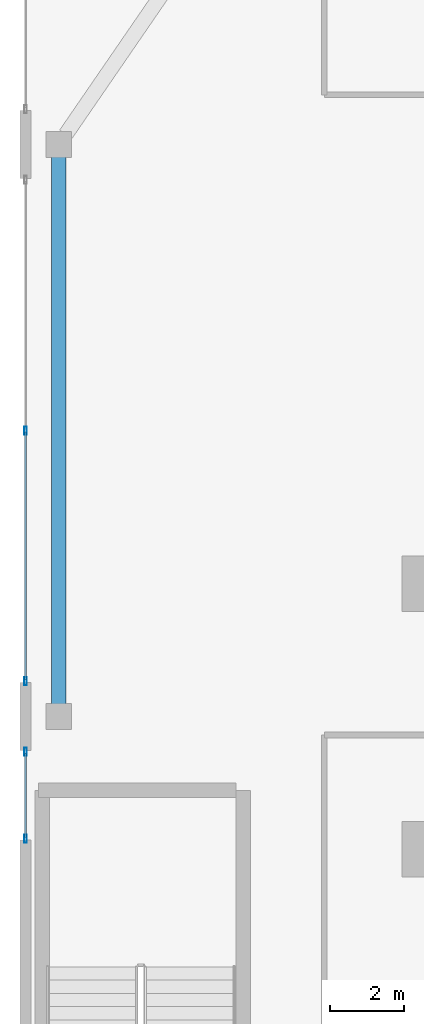
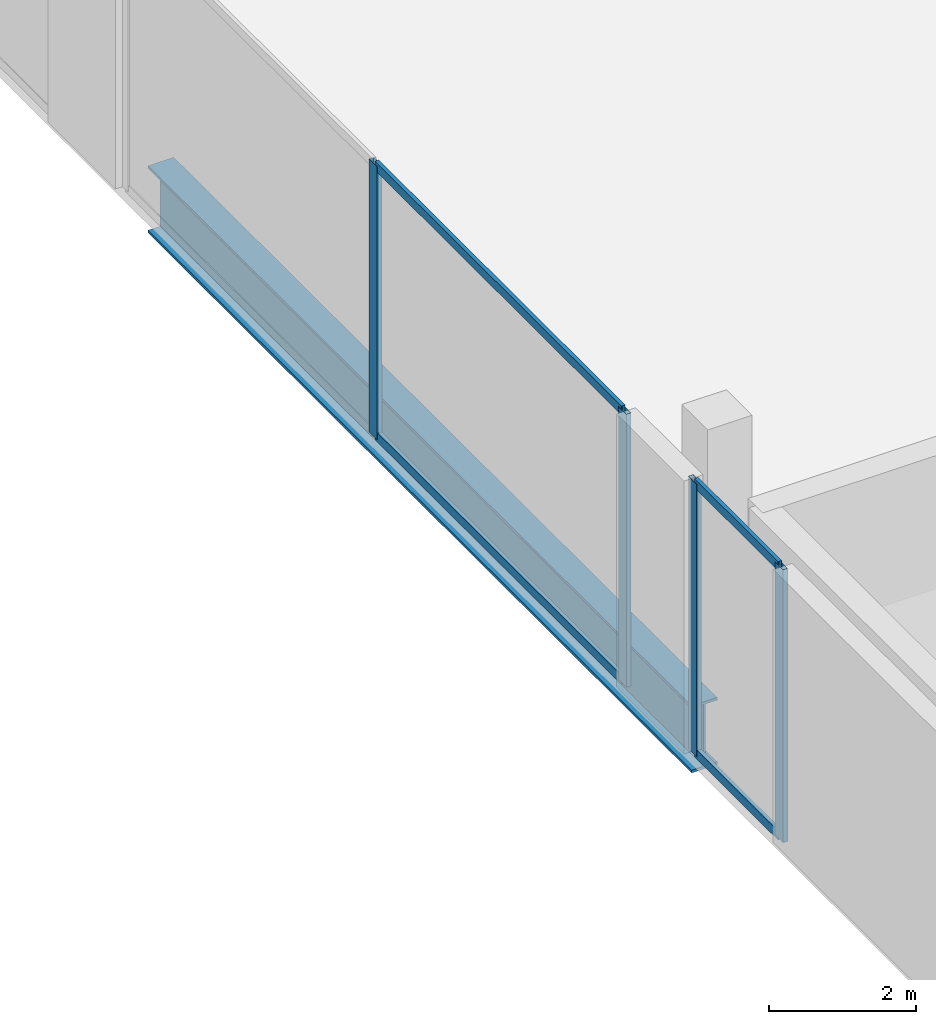
# One storey, part 7 of 33: 8 members, 1 beam, 2 elements without a shape of their own.
"""IFC4 building model written with IfcOpenShell, lengths in metres."""

from ifc_helpers import new_model, si_unit, direction, frame, origin, origin_2d, place, context, subcontext, project, spatial, hollow_rectangle, i_section, extrude, material, layer, layer_set, material_profile, profile_set, type_object, element, aggregate, save


model = new_model("IFC4")

# Units and contexts
model_context = context("Model", 3, precision=1e-05, world=origin(), true_north=direction((0.0, 1.0)))
body_context = subcontext(model_context, "Body", "Model", "MODEL_VIEW")
ifc_project = project(units=[si_unit("LENGTHUNIT", "METRE"), si_unit("AREAUNIT", "SQUARE_METRE"), si_unit("VOLUMEUNIT", "CUBIC_METRE"), si_unit("PLANEANGLEUNIT", "RADIAN"), si_unit("MASSUNIT", "GRAM", prefix="KILO")], contexts=[model_context])

# Site, building, storey
site_placement = place(None, origin())
site = spatial("IfcSite", under=ifc_project, at=site_placement, CompositionType="ELEMENT")
building_placement = place(site_placement, origin())
building = spatial("IfcBuilding", under=site, at=building_placement, Name="Zuhayl Quay Hotel", CompositionType="ELEMENT")
storey_placement = place(building_placement, frame((0.0, 0.0, 18.0)))
storey = spatial("IfcBuildingStorey", under=building, at=storey_placement, Name="L03", CompositionType="ELEMENT", Elevation=18.0)

# Beam
ifc_material_1 = material(Name="Steel ASTM A913 Grade 65", Category="steel")
ifc_material_profile_1 = material_profile(ifc_material_1, i_section(OverallWidth=0.404052734375, OverallDepth=1.117919921875, WebThickness=0.026123046875, FlangeThickness=0.044921875, at=origin_2d()), Name="W44X335")
ifc_profile_set_1 = profile_set([ifc_material_profile_1], Name="Steel ASTM A913 Grade 65")
beam_type = type_object("IfcBeamType", Name="BM_TG1_W44X335", PredefinedType="BEAM", material=ifc_profile_set_1)
beam_placement = place(storey_placement, frame((-35.10009765625, 0.340087890625, -0.819091796875), z_axis=(0.0, 1.0, 0.0), x_axis=(-1.0, 0.0, 0.0)))
element("IfcBeam", 1, at=beam_placement, inside=storey, type_object=beam_type, Name="L03 Floor Beam PG_W_L03_2", PredefinedType="BEAM", context=body_context, shape_type="SweptSolid", body=[
    extrude(i_section(OverallWidth=0.404052734375, OverallDepth=1.117919921875, WebThickness=0.026123046875, FlangeThickness=0.044921875, at=origin_2d()), origin(), (0.0, 0.0, 1.0), 14.81982421875),
])

# Curtain wall, members
ifc_material_2 = material(Name="Anodised Aluminium 6063-T6", Category="aluminium")
ifc_layer = layer(ifc_material_2, 0.199951171875, Name="Anodised Aluminium 6063-T6", Category="aluminium")
ifc_layer_set = layer_set([ifc_layer], Name="Anodised Aluminium 6063-T6")
curtain_wall_type = type_object("IfcCurtainWallType", Name="CW_SYS_POD", PredefinedType="USERDEFINED", material=ifc_layer_set)
curtain_wall_1_placement = place(storey_placement, origin())
curtain_wall_1 = element("IfcCurtainWall", 2, at=curtain_wall_1_placement, inside=storey, type_object=curtain_wall_type, Name="L03 Curtain Wall ENV_L03_E02_CW2", ObjectType="UNITISED CURTAIN WALL", PredefinedType="USERDEFINED")
ifc_material_3 = material(Name="Black-anodised aluminium 6063-T6", Category="aluminium")
ifc_material_profile_2 = material_profile(ifc_material_3, hollow_rectangle(XDim=0.074951171875, YDim=0.219970703125, WallThickness=0.00390625, at=origin_2d()), Name="ALU220X75")
ifc_profile_set_2 = profile_set([ifc_material_profile_2], Name="Black-anodised aluminium 6063-T6")
member_type_1 = type_object("IfcMemberType", Name="MB_CW_MUL_220", PredefinedType="MULLION", material=ifc_profile_set_2)
member_1_placement = place(storey_placement, frame((-36.0, -3.3125, 0.0), z_axis=(0.0, 0.0, 1.0), x_axis=(-1.0, 0.0, 0.0)))
member_1 = element("IfcMember", 3, at=member_1_placement, type_object=member_type_1, Name="CW-POD mullion 1", PredefinedType="MULLION", context=body_context, shape_type="SweptSolid", body=[
    extrude(hollow_rectangle(XDim=0.074951171875, YDim=0.219970703125, WallThickness=0.00390625, at=origin_2d()), origin(), (0.0, 0.0, 1.0), 4.5400390625),
])
member_2_placement = place(storey_placement, frame((-36.0, -0.95751953125, 0.0), z_axis=(0.0, 0.0, 1.0), x_axis=(-1.0, 0.0, 0.0)))
member_2 = element("IfcMember", 4, at=member_2_placement, type_object=member_type_1, Name="CW-POD mullion 2", PredefinedType="MULLION", context=body_context, shape_type="SweptSolid", body=[
    extrude(hollow_rectangle(XDim=0.074951171875, YDim=0.219970703125, WallThickness=0.00390625, at=origin_2d()), origin(), (0.0, 0.0, 1.0), 4.5400390625),
])

curtain_wall_2_placement = place(storey_placement, origin())
curtain_wall_2 = element("IfcCurtainWall", 5, at=curtain_wall_2_placement, inside=storey, type_object=curtain_wall_type, Name="L03 Curtain Wall ENV_L03_E02_CW3", ObjectType="UNITISED CURTAIN WALL", PredefinedType="USERDEFINED")
member_3_placement = place(storey_placement, frame((-36.0, 0.95751953125, 0.0), z_axis=(0.0, 0.0, 1.0), x_axis=(-1.0, 0.0, 0.0)))
member_3 = element("IfcMember", 6, at=member_3_placement, type_object=member_type_1, Name="CW-POD mullion 1", PredefinedType="MULLION", context=body_context, shape_type="SweptSolid", body=[
    extrude(hollow_rectangle(XDim=0.074951171875, YDim=0.219970703125, WallThickness=0.00390625, at=origin_2d()), origin(), (0.0, 0.0, 1.0), 4.5400390625),
])
member_4_placement = place(storey_placement, frame((-36.0, 7.75, 0.0), z_axis=(0.0, 0.0, 1.0), x_axis=(-1.0, 0.0, 0.0)))
member_4 = element("IfcMember", 7, at=member_4_placement, type_object=member_type_1, Name="CW-POD mullion 2", PredefinedType="MULLION", context=body_context, shape_type="SweptSolid", body=[
    extrude(hollow_rectangle(XDim=0.074951171875, YDim=0.219970703125, WallThickness=0.00390625, at=origin_2d()), origin(), (0.0, 0.0, 1.0), 4.5400390625),
])

# Member
ifc_material_profile_3 = material_profile(ifc_material_3, hollow_rectangle(XDim=0.06005859375, YDim=0.14990234375, WallThickness=0.00341796875, at=origin_2d()), Name="ALU150X60")
ifc_profile_set_3 = profile_set([ifc_material_profile_3], Name="Black-anodised aluminium 6063-T6")
member_type_2 = type_object("IfcMemberType", Name="MB_CW_TRN_150", PredefinedType="USERDEFINED", material=ifc_profile_set_3)
member_5_placement = place(storey_placement, frame((-36.0, -3.27490234375, 0.030029296875), z_axis=(0.0, 1.0, 0.0), x_axis=(-1.0, 0.0, 0.0)))
member_5 = element("IfcMember", 8, at=member_5_placement, type_object=member_type_2, Name="CW-POD transom 1.1", ObjectType="TRANSOM", PredefinedType="USERDEFINED", context=body_context, shape_type="SweptSolid", body=[
    extrude(hollow_rectangle(XDim=0.06005859375, YDim=0.14990234375, WallThickness=0.00341796875, at=origin_2d()), origin(), (0.0, 0.0, 1.0), 2.27978515625),
])

member_6_placement = place(storey_placement, frame((-36.0, -3.27490234375, 4.510009765625), z_axis=(0.0, 1.0, 0.0), x_axis=(-1.0, 0.0, 0.0)))
member_6 = element("IfcMember", 9, at=member_6_placement, type_object=member_type_2, Name="CW-POD transom 1.2", ObjectType="TRANSOM", PredefinedType="USERDEFINED", context=body_context, shape_type="SweptSolid", body=[
    extrude(hollow_rectangle(XDim=0.06005859375, YDim=0.14990234375, WallThickness=0.00341796875, at=origin_2d()), origin(), (0.0, 0.0, 1.0), 2.27978515625),
])

aggregate(curtain_wall_1, [member_1, member_2, member_5, member_6])

member_7_placement = place(storey_placement, frame((-36.0, 0.9951171875, 0.030029296875), z_axis=(0.0, 1.0, 0.0), x_axis=(-1.0, 0.0, 0.0)))
member_7 = element("IfcMember", 10, at=member_7_placement, type_object=member_type_2, Name="CW-POD transom 1.1", ObjectType="TRANSOM", PredefinedType="USERDEFINED", context=body_context, shape_type="SweptSolid", body=[
    extrude(hollow_rectangle(XDim=0.06005859375, YDim=0.14990234375, WallThickness=0.00341796875, at=origin_2d()), origin(), (0.0, 0.0, 1.0), 6.71728515625),
])

member_8_placement = place(storey_placement, frame((-36.0, 0.9951171875, 4.510009765625), z_axis=(0.0, 1.0, 0.0), x_axis=(-1.0, 0.0, 0.0)))
member_8 = element("IfcMember", 11, at=member_8_placement, type_object=member_type_2, Name="CW-POD transom 1.2", ObjectType="TRANSOM", PredefinedType="USERDEFINED", context=body_context, shape_type="SweptSolid", body=[
    extrude(hollow_rectangle(XDim=0.06005859375, YDim=0.14990234375, WallThickness=0.00341796875, at=origin_2d()), origin(), (0.0, 0.0, 1.0), 6.71728515625),
])

aggregate(curtain_wall_2, [member_3, member_4, member_7, member_8])

save(model, "model.ifc")
